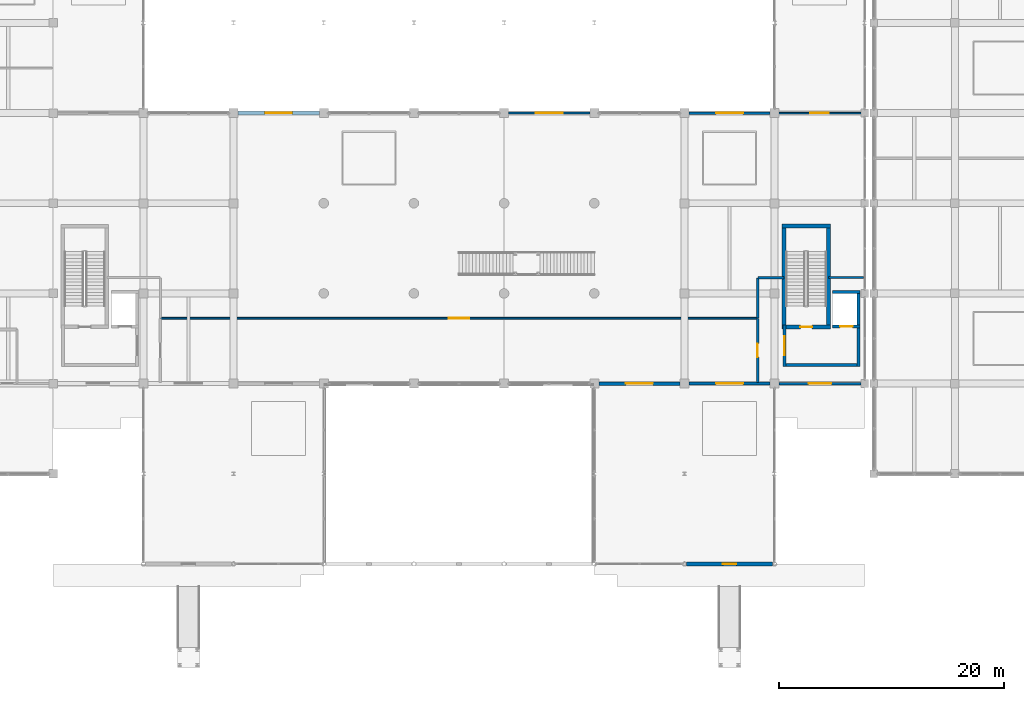
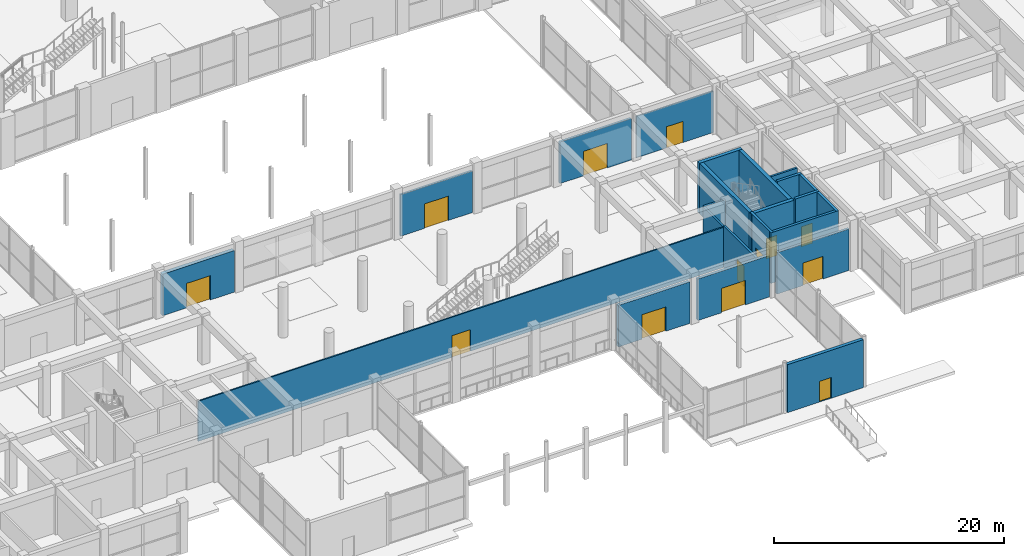
# One storey, part 57 of 86: 23 walls, 13 doors, 13 openings.
"""IFC4 building model written with IfcOpenShell, lengths in metres."""

from ifc_helpers import new_model, si_unit, direction, frame, frame_2d, origin, place, context, subcontext, project, spatial, rectangle, extrude, material, layer, layer_set, type_object, element, fill, save


model = new_model("IFC4")

# Units and contexts
model_context = context("Model", 3, precision=1e-05, world=origin(), true_north=direction((0.0, 1.0)))
body_context = subcontext(model_context, "Body", "Model", "MODEL_VIEW")
ifc_project = project(units=[si_unit("LENGTHUNIT", "METRE"), si_unit("AREAUNIT", "SQUARE_METRE"), si_unit("VOLUMEUNIT", "CUBIC_METRE"), si_unit("PLANEANGLEUNIT", "RADIAN"), si_unit("MASSUNIT", "GRAM", prefix="KILO")], contexts=[model_context])

# Site, building, storey
site_placement = place(None, origin())
site = spatial("IfcSite", under=ifc_project, at=site_placement, CompositionType="ELEMENT")
building_placement = place(site_placement, origin())
building = spatial("IfcBuilding", under=site, at=building_placement, Name="Kenh Van Central Station", CompositionType="ELEMENT")
storey_placement = place(building_placement, origin())
storey = spatial("IfcBuildingStorey", under=building, at=storey_placement, Name="L00", CompositionType="ELEMENT", Elevation=0.0)

# Walls
ifc_material_1 = material(Name="Lightweight acoustic masonry blockwork", Category="masonry")
ifc_layer_1 = layer(ifc_material_1, 0.18994140625, Name="Lightweight acoustic masonry blockwork")
ifc_layer_set_1 = layer_set([ifc_layer_1], Name="Lightweight acoustic masonry blockwork")
wall_type_1 = type_object("IfcWallType", Name="WL-COMP-190", PredefinedType="SOLIDWALL", material=ifc_layer_set_1)
wall_1_placement = place(storey_placement, frame((116.77001953125, 25.39990234375, 0.0), z_axis=(0.0, 0.0, 1.0), x_axis=(1.0, 0.0, 0.0)))
element("IfcWall", 1, at=wall_1_placement, inside=storey, type_object=wall_type_1, Name="L00 interior wall 0071", PredefinedType="SOLIDWALL", context=body_context, shape_type="SweptSolid", body=[
    extrude(rectangle(XDim=3.10986328125, YDim=0.18994140625, at=frame_2d((1.554931640625, 0.0))), origin(), (0.0, 0.0, 1.0), 5.10009765625),
])
wall_2_placement = place(storey_placement, frame((110.5, 21.820068359375, 0.0), z_axis=(0.0, 0.0, 1.0), x_axis=(0.0, 1.0, 0.0)))
element("IfcWall", 2, at=wall_2_placement, inside=storey, type_object=wall_type_1, Name="L00 interior wall 0073", PredefinedType="SOLIDWALL", context=body_context, shape_type="SweptSolid", body=[
    extrude(rectangle(XDim=3.559814453125, YDim=0.18994140625, at=frame_2d((1.77978515625, 0.0))), origin(), (0.0, 0.0, 1.0), 4.27001953125),
])
ifc_layer_2 = layer(ifc_material_1, 0.2099609375, Name="Lightweight acoustic masonry blockwork")
ifc_layer_set_2 = layer_set([ifc_layer_2], Name="Lightweight acoustic masonry blockwork")
wall_type_2 = type_object("IfcWallType", Name="WL-COMP-210", PredefinedType="SOLIDWALL", material=ifc_layer_set_2)
wall_3_placement = place(storey_placement, frame((110.52001953125, 25.39990234375, 0.0), z_axis=(0.0, 0.0, 1.0), x_axis=(1.0, 0.0, 0.0)))
element("IfcWall", 3, at=wall_3_placement, inside=storey, type_object=wall_type_2, Name="L00 interior wall 0070", PredefinedType="SOLIDWALL", context=body_context, shape_type="SweptSolid", body=[
    extrude(rectangle(XDim=2.31005859375, YDim=0.2099609375, at=frame_2d((1.155029296875, 0.0))), origin(), (0.0, 0.0, 1.0), 4.27001953125),
])

# Wall, opening, door
wall_4_placement = place(storey_placement, frame((110.5, 16.1201171875, 0.0), z_axis=(0.0, 0.0, 1.0), x_axis=(0.0, 1.0, 0.0)))
wall_4 = element("IfcWall", 4, at=wall_4_placement, inside=storey, type_object=wall_type_2, Name="L00 interior wall 0072", PredefinedType="SOLIDWALL", context=body_context, shape_type="SweptSolid", body=[
    extrude(rectangle(XDim=5.659912109375, YDim=0.2099609375, at=frame_2d((2.830078125, 0.0))), origin(), (0.0, 0.0, 1.0), 4.419921875),
])
opening_1_placement = place(wall_4_placement, frame((2.22998046875, 0.0, 0.0)))
opening_1 = element("IfcOpeningElement", 5, at=opening_1_placement, cuts=wall_4, Name="Opening D-FD60S", PredefinedType="OPENING", context=body_context, shape_type="SweptSolid", body=[
    extrude(rectangle(XDim=1.199951171875, YDim=2.14990234375, at=frame_2d((0.60009765625, 1.074951171875))), frame((0.0, 0.114990234375, 0.0), z_axis=(0.0, -1.0, 0.0), x_axis=(1.0, 0.0, 0.0)), (0.0, 0.0, 1.0), 0.22998046875),
])
ifc_material_2 = material(Name="Champagne anodised aluminium", Category="aluminium")
door_type_1 = type_object("IfcDoorType", Name="DR-FIRE-1200x2150", OperationType="NOTDEFINED", PredefinedType="DOOR", material=ifc_material_2)
door_1_placement = place(opening_1_placement, origin())
door_1 = element("IfcDoor", 6, at=door_1_placement, inside=storey, type_object=door_type_1, Name="L00 interior door 0039", OperationType="SINGLE_SWING_RIGHT", OverallHeight=2.14990234375, OverallWidth=1.199951171875, PredefinedType="DOOR", context=body_context, shape_type="SweptSolid", body=[
    extrude(rectangle(XDim=1.199951171875, YDim=2.14990234375, at=frame_2d((0.60009765625, 1.074951171875))), frame((0.0, 0.02490234375, 0.0), z_axis=(0.0, -1.0, 0.0), x_axis=(1.0, 0.0, 0.0)), (0.0, 0.0, 1.0), 0.050048828125),
])
fill(opening_1, door_1)

ifc_material_3 = material(Name="Concrete C40/50", Category="concrete")
ifc_layer_3 = layer(ifc_material_3, 0.280029296875, Name="Concrete C40/50")
ifc_layer_set_3 = layer_set([ifc_layer_3], Name="Concrete C40/50")
wall_type_3 = type_object("IfcWallType", Name="WL-CORE-280", PredefinedType="SHEAR", material=ifc_layer_set_3)
wall_5_placement = place(storey_placement, frame((117.14990234375, 21.06005859375, 0.0), z_axis=(0.0, 0.0, 1.0), x_axis=(1.0, 0.0, 0.0)))
wall_5 = element("IfcWall", 7, at=wall_5_placement, inside=storey, type_object=wall_type_3, Name="L00 LIFT-P4 shaft wall S", PredefinedType="SHEAR", context=body_context, shape_type="SweptSolid", body=[
    extrude(rectangle(XDim=2.43017578125, YDim=0.280029296875, at=frame_2d((1.215087890625, 0.0))), origin(), (0.0, 0.0, 1.0), 5.39990234375),
])
opening_2_placement = place(wall_5_placement, frame((0.6650390625, 0.0, 0.0)))
opening_2 = element("IfcOpeningElement", 8, at=opening_2_placement, cuts=wall_5, Name="Opening LD-P1", PredefinedType="OPENING", context=body_context, shape_type="SweptSolid", body=[
    extrude(rectangle(XDim=1.10009765625, YDim=2.14990234375, at=frame_2d((0.550048828125, 1.074951171875))), frame((0.0, 0.14990234375, 0.0), z_axis=(0.0, -1.0, 0.0), x_axis=(1.0, 0.0, 0.0)), (0.0, 0.0, 1.0), 0.300048828125),
])
door_type_2 = type_object("IfcDoorType", Name="DR-LIFT-1100x2150", OperationType="SLIDING_TO_LEFT", PredefinedType="DOOR", material=ifc_material_2)
door_2_placement = place(opening_2_placement, origin())
door_2 = element("IfcDoor", 9, at=door_2_placement, inside=storey, type_object=door_type_2, Name="L00 LIFT-P4 sliding landing door", OperationType="SLIDING_TO_LEFT", OverallHeight=2.14990234375, OverallWidth=1.10009765625, PredefinedType="DOOR", context=body_context, shape_type="SweptSolid", body=[
    extrude(rectangle(XDim=1.10009765625, YDim=2.14990234375, at=frame_2d((0.550048828125, 1.074951171875))), frame((0.0, 0.02490234375, 0.0), z_axis=(0.0, -1.0, 0.0), x_axis=(1.0, 0.0, 0.0)), (0.0, 0.0, 1.0), 0.050048828125),
])
fill(opening_2, door_2)

# Walls
wall_6_placement = place(storey_placement, frame((117.14990234375, 24.139892578125, 0.0), z_axis=(0.0, 0.0, 1.0), x_axis=(1.0, 0.0, 0.0)))
element("IfcWall", 10, at=wall_6_placement, inside=storey, type_object=wall_type_3, Name="L00 LIFT-P4 shaft wall N", PredefinedType="SHEAR", context=body_context, shape_type="SweptSolid", body=[
    extrude(rectangle(XDim=2.43017578125, YDim=0.280029296875, at=frame_2d((1.215087890625, 0.0))), origin(), (0.0, 0.0, 1.0), 5.39990234375),
])
wall_7_placement = place(storey_placement, frame((119.43994140625, 21.199951171875, 0.0), z_axis=(0.0, 0.0, 1.0), x_axis=(0.0, 1.0, 0.0)))
element("IfcWall", 11, at=wall_7_placement, inside=storey, type_object=wall_type_3, Name="L00 LIFT-P4 shaft wall E", PredefinedType="SHEAR", context=body_context, shape_type="SweptSolid", body=[
    extrude(rectangle(XDim=2.800048828125, YDim=0.280029296875, at=frame_2d((1.39990234375, 0.0))), origin(), (0.0, 0.0, 1.0), 5.39990234375),
])

# Wall, opening, door
ifc_layer_4 = layer(ifc_material_3, 0.360107421875, Name="Concrete C40/50")
ifc_layer_set_4 = layer_set([ifc_layer_4], Name="Concrete C40/50")
wall_type_4 = type_object("IfcWallType", Name="WL-CORE-360", PredefinedType="SHEAR", material=ifc_layer_set_4)
wall_8_placement = place(storey_placement, frame((112.639892578125, 21.02001953125, 0.0), z_axis=(0.0, 0.0, 1.0), x_axis=(1.0, 0.0, 0.0)))
wall_8 = element("IfcWall", 12, at=wall_8_placement, inside=storey, type_object=wall_type_4, Name="L00 CORE-04 stair wall S", PredefinedType="SHEAR", context=body_context, shape_type="SweptSolid", body=[
    extrude(rectangle(XDim=4.320068359375, YDim=0.360107421875, at=frame_2d((2.16015625, 0.0))), origin(), (0.0, 0.0, 1.0), 5.39990234375),
])
opening_3_placement = place(wall_8_placement, frame((1.635009765625, 0.0, 0.0)))
opening_3 = element("IfcOpeningElement", 13, at=opening_3_placement, cuts=wall_8, Name="Opening D-FD60", PredefinedType="OPENING", context=body_context, shape_type="SweptSolid", body=[
    extrude(rectangle(XDim=1.050048828125, YDim=2.14990234375, at=frame_2d((0.52490234375, 1.074951171875))), frame((0.0, 0.18994140625, 0.0), z_axis=(0.0, -1.0, 0.0), x_axis=(1.0, 0.0, 0.0)), (0.0, 0.0, 1.0), 0.380126953125),
])
door_type_3 = type_object("IfcDoorType", Name="DR-FIRE-1050x2150", OperationType="NOTDEFINED", PredefinedType="DOOR", material=ifc_material_2)
door_3_placement = place(opening_3_placement, origin())
door_3 = element("IfcDoor", 14, at=door_3_placement, inside=storey, type_object=door_type_3, Name="L00 ST-04 stair door", OperationType="SINGLE_SWING_LEFT", OverallHeight=2.14990234375, OverallWidth=1.050048828125, PredefinedType="DOOR", context=body_context, shape_type="SweptSolid", body=[
    extrude(rectangle(XDim=1.050048828125, YDim=2.14990234375, at=frame_2d((0.52490234375, 1.074951171875))), frame((0.0, 0.02490234375, 0.0), z_axis=(0.0, -1.0, 0.0), x_axis=(1.0, 0.0, 0.0)), (0.0, 0.0, 1.0), 0.050048828125),
])
fill(opening_3, door_3)

# Walls
wall_9_placement = place(storey_placement, frame((112.639892578125, 29.97998046875, 0.0), z_axis=(0.0, 0.0, 1.0), x_axis=(1.0, 0.0, 0.0)))
element("IfcWall", 15, at=wall_9_placement, inside=storey, type_object=wall_type_4, Name="L00 CORE-04 stair wall N", PredefinedType="SHEAR", context=body_context, shape_type="SweptSolid", body=[
    extrude(rectangle(XDim=4.320068359375, YDim=0.360107421875, at=frame_2d((2.16015625, 0.0))), origin(), (0.0, 0.0, 1.0), 5.39990234375),
])
for number, where, z_axis, x_axis, name in (
    (16, (112.820068359375, 21.199951171875, 0.0), (0.0, 0.0, 1.0), (0.0, 1.0, 0.0), "L00 CORE-04 stair wall W"),
    (17, (116.780029296875, 21.199951171875, 0.0), (0.0, 0.0, 1.0), (0.0, 1.0, 0.0), "L00 CORE-04 stair wall E"),
):
    element("IfcWall", number, at=place(storey_placement, frame(where, z_axis=z_axis, x_axis=x_axis)), inside=storey, type_object=wall_type_4, Name=name, PredefinedType="SHEAR", context=body_context, shape_type="SweptSolid", body=[
        extrude(rectangle(XDim=8.60009765625, YDim=0.360107421875, at=frame_2d((4.300048828125, 0.0))), origin(), (0.0, 0.0, 1.0), 5.39990234375),
    ])

# Wall, opening, door
ifc_material_4 = material(Name="Saigon buff sandstone and terracotta masonry", Category="masonry")
ifc_layer_5 = layer(ifc_material_4, 0.2900390625, Name="Saigon buff sandstone and terracotta masonry")
ifc_layer_set_5 = layer_set([ifc_layer_5], Name="Saigon buff sandstone and terracotta masonry")
wall_type_5 = type_object("IfcWallType", Name="WL-EXT-290", PredefinedType="STANDARD", material=ifc_layer_set_5)
wall_10_placement = place(storey_placement, frame((104.39990234375, 16.0, 0.0), z_axis=(0.0, 0.0, 1.0), x_axis=(1.0, 0.0, 0.0)))
wall_10 = element("IfcWall", 18, at=wall_10_placement, inside=storey, type_object=wall_type_5, Name="L00 exterior wall 012", PredefinedType="STANDARD", context=body_context, shape_type="SweptSolid", body=[
    extrude(rectangle(XDim=7.2001953125, YDim=0.2900390625, at=frame_2d((3.60009765625, 0.0))), origin(), (0.0, 0.0, 1.0), 4.419921875),
])
opening_4_placement = place(wall_10_placement, frame((2.39990234375, 0.0, 0.0)))
opening_4 = element("IfcOpeningElement", 19, at=opening_4_placement, cuts=wall_10, Name="Opening D-EX1", PredefinedType="OPENING", context=body_context, shape_type="SweptSolid", body=[
    extrude(rectangle(XDim=2.39990234375, YDim=2.60009765625, at=frame_2d((1.199951171875, 1.300048828125))), frame((0.0, 0.155029296875, 0.0), z_axis=(0.0, -1.0, 0.0), x_axis=(1.0, 0.0, 0.0)), (0.0, 0.0, 1.0), 0.31005859375),
])
door_type_4 = type_object("IfcDoorType", Name="DR-EXT-2400x2600", OperationType="DOUBLE_DOOR_SINGLE_SWING", PredefinedType="DOOR", material=ifc_material_2)
door_4_placement = place(opening_4_placement, frame((2.39990234375, 0.0, 0.0), z_axis=(0.0, 0.0, 1.0), x_axis=(-1.0, 0.0, 0.0)))
door_4 = element("IfcDoor", 20, at=door_4_placement, inside=storey, type_object=door_type_4, Name="L00 exterior door 011", OperationType="DOUBLE_DOOR_SINGLE_SWING", OverallHeight=2.60009765625, OverallWidth=2.39990234375, PredefinedType="DOOR", context=body_context, shape_type="SweptSolid", body=[
    extrude(rectangle(XDim=2.39990234375, YDim=2.60009765625, at=frame_2d((-1.199951171875, 1.300048828125))), frame((0.0, -0.02490234375, 0.0), z_axis=(0.0, 1.0, 0.0), x_axis=(-1.0, 0.0, 0.0)), (0.0, 0.0, 1.0), 0.050048828125),
])
fill(opening_4, door_4)

ifc_layer_6 = layer(ifc_material_4, 0.31005859375, Name="Saigon buff sandstone and terracotta masonry")
ifc_layer_set_6 = layer_set([ifc_layer_6], Name="Saigon buff sandstone and terracotta masonry")
wall_type_6 = type_object("IfcWallType", Name="WL-EXT-310", PredefinedType="STANDARD", material=ifc_layer_set_6)
wall_11_placement = place(storey_placement, frame((96.39990234375, 16.0, 0.0), z_axis=(0.0, 0.0, 1.0), x_axis=(1.0, 0.0, 0.0)))
wall_11 = element("IfcWall", 21, at=wall_11_placement, inside=storey, type_object=wall_type_6, Name="L00 exterior wall 011", PredefinedType="STANDARD", context=body_context, shape_type="SweptSolid", body=[
    extrude(rectangle(XDim=7.2001953125, YDim=0.31005859375, at=frame_2d((3.60009765625, 0.0))), origin(), (0.0, 0.0, 1.0), 4.419921875),
])
opening_5_placement = place(wall_11_placement, frame((2.39990234375, 0.0, 0.0)))
opening_5 = element("IfcOpeningElement", 22, at=opening_5_placement, cuts=wall_11, Name="Opening D-EX1", PredefinedType="OPENING", context=body_context, shape_type="SweptSolid", body=[
    extrude(rectangle(XDim=2.39990234375, YDim=2.60009765625, at=frame_2d((1.199951171875, 1.300048828125))), frame((0.0, 0.1650390625, 0.0), z_axis=(0.0, -1.0, 0.0), x_axis=(1.0, 0.0, 0.0)), (0.0, 0.0, 1.0), 0.330078125),
])
door_5_placement = place(opening_5_placement, frame((2.39990234375, 0.0, 0.0), z_axis=(0.0, 0.0, 1.0), x_axis=(-1.0, 0.0, 0.0)))
door_5 = element("IfcDoor", 23, at=door_5_placement, inside=storey, type_object=door_type_4, Name="L00 exterior door 010", OperationType="DOUBLE_DOOR_SINGLE_SWING", OverallHeight=2.60009765625, OverallWidth=2.39990234375, PredefinedType="DOOR", context=body_context, shape_type="SweptSolid", body=[
    extrude(rectangle(XDim=2.39990234375, YDim=2.60009765625, at=frame_2d((-1.199951171875, 1.300048828125))), frame((0.0, -0.02490234375, 0.0), z_axis=(0.0, 1.0, 0.0), x_axis=(-1.0, 0.0, 0.0)), (0.0, 0.0, 1.0), 0.050048828125),
])
fill(opening_5, door_5)

ifc_layer_7 = layer(ifc_material_4, 0.330078125, Name="Saigon buff sandstone and terracotta masonry")
ifc_layer_set_7 = layer_set([ifc_layer_7], Name="Saigon buff sandstone and terracotta masonry")
wall_type_7 = type_object("IfcWallType", Name="WL-EXT-330", PredefinedType="STANDARD", material=ifc_layer_set_7)
wall_12_placement = place(storey_placement, frame((104.177734375, 0.0, 0.0), z_axis=(0.0, 0.0, 1.0), x_axis=(1.0, 0.0, 0.0)))
wall_12 = element("IfcWall", 24, at=wall_12_placement, inside=storey, type_object=wall_type_7, Name="L00 exterior wall 018", PredefinedType="STANDARD", context=body_context, shape_type="SweptSolid", body=[
    extrude(rectangle(XDim=7.64453125, YDim=0.330078125, at=frame_2d((3.822265625, 0.0))), origin(), (0.0, 0.0, 1.0), 5.10009765625),
])
opening_6_placement = place(wall_12_placement, frame((3.22216796875, 0.0, 0.0)))
opening_6 = element("IfcOpeningElement", 25, at=opening_6_placement, cuts=wall_12, Name="Opening D-EX9", PredefinedType="OPENING", context=body_context, shape_type="SweptSolid", body=[
    extrude(rectangle(XDim=1.199951171875, YDim=2.199951171875, at=frame_2d((0.60009765625, 1.10009765625))), frame((0.0, 0.175048828125, 0.0), z_axis=(0.0, -1.0, 0.0), x_axis=(1.0, 0.0, 0.0)), (0.0, 0.0, 1.0), 0.35009765625),
])
door_type_5 = type_object("IfcDoorType", Name="DR-EXT-1200x2200", OperationType="NOTDEFINED", PredefinedType="DOOR", material=ifc_material_2)
door_6_placement = place(opening_6_placement, frame((1.199951171875, 0.0, 0.0), z_axis=(0.0, 0.0, 1.0), x_axis=(-1.0, 0.0, 0.0)))
door_6 = element("IfcDoor", 26, at=door_6_placement, inside=storey, type_object=door_type_5, Name="L00 exterior door 017", OperationType="SINGLE_SWING_LEFT", OverallHeight=2.199951171875, OverallWidth=1.199951171875, PredefinedType="DOOR", context=body_context, shape_type="SweptSolid", body=[
    extrude(rectangle(XDim=1.199951171875, YDim=2.199951171875, at=frame_2d((-0.60009765625, 1.10009765625))), frame((0.0, -0.02490234375, 0.0), z_axis=(0.0, 1.0, 0.0), x_axis=(-1.0, 0.0, 0.0)), (0.0, 0.0, 1.0), 0.050048828125),
])
fill(opening_6, door_6)

ifc_layer_8 = layer(ifc_material_4, 0.3798828125, Name="Saigon buff sandstone and terracotta masonry")
ifc_layer_set_8 = layer_set([ifc_layer_8], Name="Saigon buff sandstone and terracotta masonry")
wall_type_8 = type_object("IfcWallType", Name="WL-EXT-380", PredefinedType="STANDARD", material=ifc_layer_set_8)
wall_13_placement = place(storey_placement, frame((71.60009765625, 40.0, 0.0), z_axis=(0.0, 0.0, 1.0), x_axis=(-1.0, 0.0, 0.0)))
wall_13 = element("IfcWall", 27, at=wall_13_placement, inside=storey, type_object=wall_type_8, Name="L00 exterior wall 016", PredefinedType="STANDARD", context=body_context, shape_type="SweptSolid", body=[
    extrude(rectangle(XDim=7.2001953125, YDim=0.3798828125, at=frame_2d((3.60009765625, 0.0))), origin(), (0.0, 0.0, 1.0), 4.419921875),
])
opening_7_placement = place(wall_13_placement, frame((2.39990234375, 0.0, 0.0)))
opening_7 = element("IfcOpeningElement", 28, at=opening_7_placement, cuts=wall_13, Name="Opening D-EX1", PredefinedType="OPENING", context=body_context, shape_type="SweptSolid", body=[
    extrude(rectangle(XDim=2.39990234375, YDim=2.60009765625, at=frame_2d((1.199951171875, 1.300048828125))), frame((0.0, 0.199951171875, 0.0), z_axis=(0.0, -1.0, 0.0), x_axis=(1.0, 0.0, 0.0)), (0.0, 0.0, 1.0), 0.39990234375),
])
door_7_placement = place(opening_7_placement, origin())
door_7 = element("IfcDoor", 29, at=door_7_placement, inside=storey, type_object=door_type_4, Name="L00 exterior door 015", OperationType="DOUBLE_DOOR_SINGLE_SWING", OverallHeight=2.60009765625, OverallWidth=2.39990234375, PredefinedType="DOOR", context=body_context, shape_type="SweptSolid", body=[
    extrude(rectangle(XDim=2.39990234375, YDim=2.60009765625, at=frame_2d((1.199951171875, 1.300048828125))), frame((0.0, 0.02490234375, 0.0), z_axis=(0.0, -1.0, 0.0), x_axis=(1.0, 0.0, 0.0)), (0.0, 0.0, 1.0), 0.050048828125),
])
fill(opening_7, door_7)

# Wall
ifc_layer_9 = layer(ifc_material_3, 0.260009765625, Name="Concrete C40/50")
ifc_layer_set_9 = layer_set([ifc_layer_9], Name="Concrete C40/50")
wall_type_9 = type_object("IfcWallType", Name="WL-FIRE-260", PredefinedType="SHEAR", material=ifc_layer_set_9)
wall_14_placement = place(storey_placement, frame((119.56005859375, 17.669921875, 0.0), z_axis=(0.0, 0.0, 1.0), x_axis=(-1.0, 0.0, 0.0)))
element("IfcWall", 30, at=wall_14_placement, inside=storey, type_object=wall_type_9, Name="L00 CORE-04 lobby wall S", PredefinedType="SHEAR", context=body_context, shape_type="SweptSolid", body=[
    extrude(rectangle(XDim=6.820068359375, YDim=0.260009765625, at=frame_2d((3.41015625, 0.0))), origin(), (0.0, 0.0, 1.0), 5.39990234375),
])

# Wall, opening, door
wall_15_placement = place(storey_placement, frame((112.8701171875, 17.5400390625, 0.0), z_axis=(0.0, 0.0, 1.0), x_axis=(0.0, 1.0, 0.0)))
wall_15 = element("IfcWall", 31, at=wall_15_placement, inside=storey, type_object=wall_type_9, Name="L00 CORE-04 lobby wall W", PredefinedType="SHEAR", context=body_context, shape_type="SweptSolid", body=[
    extrude(rectangle(XDim=3.659912109375, YDim=0.260009765625, at=frame_2d((1.830078125, 0.0))), origin(), (0.0, 0.0, 1.0), 5.39990234375),
])
opening_8_placement = place(wall_15_placement, frame((0.97998046875, 0.0, 0.0)))
opening_8 = element("IfcOpeningElement", 32, at=opening_8_placement, cuts=wall_15, Name="Opening D-FD60D", PredefinedType="OPENING", context=body_context, shape_type="SweptSolid", body=[
    extrude(rectangle(XDim=1.699951171875, YDim=2.199951171875, at=frame_2d((0.85009765625, 1.10009765625))), frame((0.0, 0.139892578125, 0.0), z_axis=(0.0, -1.0, 0.0), x_axis=(1.0, 0.0, 0.0)), (0.0, 0.0, 1.0), 0.280029296875),
])
door_type_6 = type_object("IfcDoorType", Name="DR-FIRE-1700x2200", OperationType="DOUBLE_DOOR_SINGLE_SWING", PredefinedType="DOOR", material=ifc_material_2)
door_8_placement = place(opening_8_placement, origin())
door_8 = element("IfcDoor", 33, at=door_8_placement, inside=storey, type_object=door_type_6, Name="L00 CORE-04 smoke-stop lobby door", OperationType="DOUBLE_DOOR_SINGLE_SWING", OverallHeight=2.199951171875, OverallWidth=1.699951171875, PredefinedType="DOOR", context=body_context, shape_type="SweptSolid", body=[
    extrude(rectangle(XDim=1.699951171875, YDim=2.199951171875, at=frame_2d((0.85009765625, 1.10009765625))), frame((0.0, 0.02490234375, 0.0), z_axis=(0.0, -1.0, 0.0), x_axis=(1.0, 0.0, 0.0)), (0.0, 0.0, 1.0), 0.050048828125),
])
fill(opening_8, door_8)

# Wall
wall_16_placement = place(storey_placement, frame((119.429931640625, 17.5400390625, 0.0), z_axis=(0.0, 0.0, 1.0), x_axis=(0.0, 1.0, 0.0)))
element("IfcWall", 34, at=wall_16_placement, inside=storey, type_object=wall_type_9, Name="L00 CORE-04 lobby wall E", PredefinedType="SHEAR", context=body_context, shape_type="SweptSolid", body=[
    extrude(rectangle(XDim=3.659912109375, YDim=0.260009765625, at=frame_2d((1.830078125, 0.0))), origin(), (0.0, 0.0, 1.0), 5.39990234375),
])

# Wall, opening, door
ifc_layer_10 = layer(ifc_material_1, 0.114990234375, Name="Lightweight acoustic masonry blockwork")
ifc_layer_set_10 = layer_set([ifc_layer_10], Name="Lightweight acoustic masonry blockwork")
wall_type_10 = type_object("IfcWallType", Name="WL-PART-115", PredefinedType="PARTITIONING", material=ifc_layer_set_10)
wall_17_placement = place(storey_placement, frame((112.1201171875, 40.0, 0.0), z_axis=(0.0, 0.0, 1.0), x_axis=(1.0, 0.0, 0.0)))
wall_17 = element("IfcWall", 35, at=wall_17_placement, inside=storey, type_object=wall_type_10, Name="L00 interior wall 0061", PredefinedType="PARTITIONING", context=body_context, shape_type="SweptSolid", body=[
    extrude(rectangle(XDim=7.759765625, YDim=0.114990234375, at=frame_2d((3.8798828125, 0.0))), origin(), (0.0, 0.0, 1.0), 4.419921875),
])
opening_9_placement = place(wall_17_placement, frame((3.054931640625, 0.0, 0.0)))
opening_9 = element("IfcOpeningElement", 36, at=opening_9_placement, cuts=wall_17, Name="Opening D-IN02", PredefinedType="OPENING", context=body_context, shape_type="SweptSolid", body=[
    extrude(rectangle(XDim=1.64990234375, YDim=2.25, at=frame_2d((0.824951171875, 1.125))), frame((0.0, 0.0673828125, 0.0), z_axis=(0.0, -1.0, 0.0), x_axis=(1.0, 0.0, 0.0)), (0.0, 0.0, 1.0), 0.135009765625),
])
ifc_material_5 = material(Name="Architectural hardwood timber", Category="wood")
door_type_7 = type_object("IfcDoorType", Name="DR-INT-1650x2250", OperationType="DOUBLE_DOOR_SINGLE_SWING", PredefinedType="DOOR", material=ifc_material_5)
door_9_placement = place(opening_9_placement, origin())
door_9 = element("IfcDoor", 37, at=door_9_placement, inside=storey, type_object=door_type_7, Name="L00 interior door 0032", OperationType="DOUBLE_DOOR_SINGLE_SWING", OverallHeight=2.25, OverallWidth=1.64990234375, PredefinedType="DOOR", context=body_context, shape_type="SweptSolid", body=[
    extrude(rectangle(XDim=1.64990234375, YDim=2.25, at=frame_2d((0.824951171875, 1.125))), frame((0.0, 0.02490234375, 0.0), z_axis=(0.0, -1.0, 0.0), x_axis=(1.0, 0.0, 0.0)), (0.0, 0.0, 1.0), 0.050048828125),
])
fill(opening_9, door_9)

ifc_layer_11 = layer(ifc_material_1, 0.135009765625, Name="Lightweight acoustic masonry blockwork")
ifc_layer_set_11 = layer_set([ifc_layer_11], Name="Lightweight acoustic masonry blockwork")
wall_type_11 = type_object("IfcWallType", Name="WL-PART-135", PredefinedType="PARTITIONING", material=ifc_layer_set_11)
wall_18_placement = place(storey_placement, frame((57.52001953125, 21.800048828125, 0.0), z_axis=(0.0, 0.0, 1.0), x_axis=(1.0, 0.0, 0.0)))
wall_18 = element("IfcWall", 38, at=wall_18_placement, inside=storey, type_object=wall_type_11, Name="L00 interior wall 0066", PredefinedType="PARTITIONING", context=body_context, shape_type="SweptSolid", body=[
    extrude(rectangle(XDim=52.9599609375, YDim=0.135009765625, at=frame_2d((26.47998046875, 0.0))), origin(), (0.0, 0.0, 1.0), 4.27001953125),
])
opening_10_placement = place(wall_18_placement, frame((25.554931640625, 0.0, 0.0)))
opening_10 = element("IfcOpeningElement", 39, at=opening_10_placement, cuts=wall_18, Name="Opening D-IN01", PredefinedType="OPENING", context=body_context, shape_type="SweptSolid", body=[
    extrude(rectangle(XDim=1.85009765625, YDim=2.300048828125, at=frame_2d((0.925048828125, 1.14990234375))), frame((0.0, 0.077392578125, 0.0), z_axis=(0.0, -1.0, 0.0), x_axis=(1.0, 0.0, 0.0)), (0.0, 0.0, 1.0), 0.155029296875),
])
door_type_8 = type_object("IfcDoorType", Name="DR-INT-1850x2300", OperationType="DOUBLE_DOOR_SINGLE_SWING", PredefinedType="DOOR", material=ifc_material_5)
door_10_placement = place(opening_10_placement, origin())
door_10 = element("IfcDoor", 40, at=door_10_placement, inside=storey, type_object=door_type_8, Name="L00 interior door 0037", OperationType="DOUBLE_DOOR_SINGLE_SWING", OverallHeight=2.300048828125, OverallWidth=1.85009765625, PredefinedType="DOOR", context=body_context, shape_type="SweptSolid", body=[
    extrude(rectangle(XDim=1.85009765625, YDim=2.300048828125, at=frame_2d((0.925048828125, 1.14990234375))), frame((0.0, 0.02490234375, 0.0), z_axis=(0.0, -1.0, 0.0), x_axis=(1.0, 0.0, 0.0)), (0.0, 0.0, 1.0), 0.050048828125),
])
fill(opening_10, door_10)

ifc_material_6 = material(Name="Glazed terracotta architectural masonry", Category="masonry")
ifc_layer_12 = layer(ifc_material_6, 0.195068359375, Name="Glazed terracotta architectural masonry")
ifc_layer_set_12 = layer_set([ifc_layer_12], Name="Glazed terracotta architectural masonry")
wall_type_12 = type_object("IfcWallType", Name="WL-SLD-195", PredefinedType="SOLIDWALL", material=ifc_layer_set_12)
wall_19_placement = place(storey_placement, frame((95.60009765625, 40.0, 0.0), z_axis=(0.0, 0.0, 1.0), x_axis=(-1.0, 0.0, 0.0)))
wall_19 = element("IfcWall", 41, at=wall_19_placement, inside=storey, type_object=wall_type_12, Name="L00 exterior wall 015", PredefinedType="SOLIDWALL", context=body_context, shape_type="SweptSolid", body=[
    extrude(rectangle(XDim=7.2001953125, YDim=0.195068359375, at=frame_2d((3.60009765625, 0.0))), origin(), (0.0, 0.0, 1.0), 4.419921875),
])
opening_11_placement = place(wall_19_placement, frame((2.39990234375, 0.0, 0.0)))
opening_11 = element("IfcOpeningElement", 42, at=opening_11_placement, cuts=wall_19, Name="Opening D-EX1", PredefinedType="OPENING", context=body_context, shape_type="SweptSolid", body=[
    extrude(rectangle(XDim=2.39990234375, YDim=2.60009765625, at=frame_2d((1.199951171875, 1.300048828125))), frame((0.0, 0.107421875, 0.0), z_axis=(0.0, -1.0, 0.0), x_axis=(1.0, 0.0, 0.0)), (0.0, 0.0, 1.0), 0.215087890625),
])
door_11_placement = place(opening_11_placement, origin())
door_11 = element("IfcDoor", 43, at=door_11_placement, inside=storey, type_object=door_type_4, Name="L00 exterior door 014", OperationType="DOUBLE_DOOR_SINGLE_SWING", OverallHeight=2.60009765625, OverallWidth=2.39990234375, PredefinedType="DOOR", context=body_context, shape_type="SweptSolid", body=[
    extrude(rectangle(XDim=2.39990234375, YDim=2.60009765625, at=frame_2d((1.199951171875, 1.300048828125))), frame((0.0, 0.02490234375, 0.0), z_axis=(0.0, -1.0, 0.0), x_axis=(1.0, 0.0, 0.0)), (0.0, 0.0, 1.0), 0.050048828125),
])
fill(opening_11, door_11)

ifc_layer_13 = layer(ifc_material_6, 0.219970703125, Name="Glazed terracotta architectural masonry")
ifc_layer_set_13 = layer_set([ifc_layer_13], Name="Glazed terracotta architectural masonry")
wall_type_13 = type_object("IfcWallType", Name="WL-SLD-220", PredefinedType="SOLIDWALL", material=ifc_layer_set_13)
wall_20_placement = place(storey_placement, frame((111.60009765625, 40.0, 0.0), z_axis=(0.0, 0.0, 1.0), x_axis=(-1.0, 0.0, 0.0)))
wall_20 = element("IfcWall", 44, at=wall_20_placement, inside=storey, type_object=wall_type_13, Name="L00 exterior wall 014", PredefinedType="SOLIDWALL", context=body_context, shape_type="SweptSolid", body=[
    extrude(rectangle(XDim=7.2001953125, YDim=0.219970703125, at=frame_2d((3.60009765625, 0.0))), origin(), (0.0, 0.0, 1.0), 4.419921875),
])
opening_12_placement = place(wall_20_placement, frame((2.39990234375, 0.0, 0.0)))
opening_12 = element("IfcOpeningElement", 45, at=opening_12_placement, cuts=wall_20, Name="Opening D-EX1", PredefinedType="OPENING", context=body_context, shape_type="SweptSolid", body=[
    extrude(rectangle(XDim=2.39990234375, YDim=2.60009765625, at=frame_2d((1.199951171875, 1.300048828125))), frame((0.0, 0.119873046875, 0.0), z_axis=(0.0, -1.0, 0.0), x_axis=(1.0, 0.0, 0.0)), (0.0, 0.0, 1.0), 0.239990234375),
])
door_12_placement = place(opening_12_placement, origin())
door_12 = element("IfcDoor", 46, at=door_12_placement, inside=storey, type_object=door_type_4, Name="L00 exterior door 013", OperationType="DOUBLE_DOOR_SINGLE_SWING", OverallHeight=2.60009765625, OverallWidth=2.39990234375, PredefinedType="DOOR", context=body_context, shape_type="SweptSolid", body=[
    extrude(rectangle(XDim=2.39990234375, YDim=2.60009765625, at=frame_2d((1.199951171875, 1.300048828125))), frame((0.0, 0.02490234375, 0.0), z_axis=(0.0, -1.0, 0.0), x_axis=(1.0, 0.0, 0.0)), (0.0, 0.0, 1.0), 0.050048828125),
])
fill(opening_12, door_12)

ifc_layer_14 = layer(ifc_material_6, 0.239990234375, Name="Glazed terracotta architectural masonry")
ifc_layer_set_14 = layer_set([ifc_layer_14], Name="Glazed terracotta architectural masonry")
wall_type_14 = type_object("IfcWallType", Name="WL-SLD-240", PredefinedType="SOLIDWALL", material=ifc_layer_set_14)
wall_21_placement = place(storey_placement, frame((112.39990234375, 16.0, 0.0), z_axis=(0.0, 0.0, 1.0), x_axis=(1.0, 0.0, 0.0)))
wall_21 = element("IfcWall", 47, at=wall_21_placement, inside=storey, type_object=wall_type_14, Name="L00 exterior wall 013", PredefinedType="SOLIDWALL", context=body_context, shape_type="SweptSolid", body=[
    extrude(rectangle(XDim=7.25, YDim=0.239990234375, at=frame_2d((3.625, 0.0))), origin(), (0.0, 0.0, 1.0), 4.419921875),
])
opening_13_placement = place(wall_21_placement, frame((2.625, 0.0, 0.0)))
opening_13 = element("IfcOpeningElement", 48, at=opening_13_placement, cuts=wall_21, Name="Opening D-EX3", PredefinedType="OPENING", context=body_context, shape_type="SweptSolid", body=[
    extrude(rectangle(XDim=2.0, YDim=2.39990234375, at=frame_2d((1.0, 1.199951171875))), frame((0.0, 0.1298828125, 0.0), z_axis=(0.0, -1.0, 0.0), x_axis=(1.0, 0.0, 0.0)), (0.0, 0.0, 1.0), 0.260009765625),
])
door_type_9 = type_object("IfcDoorType", Name="DR-EXT-2000x2400", OperationType="DOUBLE_DOOR_SINGLE_SWING", PredefinedType="DOOR", material=ifc_material_2)
door_13_placement = place(opening_13_placement, frame((2.0, 0.0, 0.0), z_axis=(0.0, 0.0, 1.0), x_axis=(-1.0, 0.0, 0.0)))
door_13 = element("IfcDoor", 49, at=door_13_placement, inside=storey, type_object=door_type_9, Name="L00 exterior door 012", OperationType="DOUBLE_DOOR_SINGLE_SWING", OverallHeight=2.39990234375, OverallWidth=2.0, PredefinedType="DOOR", context=body_context, shape_type="SweptSolid", body=[
    extrude(rectangle(XDim=2.0, YDim=2.39990234375, at=frame_2d((-1.0, 1.199951171875))), frame((0.0, -0.02490234375, 0.0), z_axis=(0.0, 1.0, 0.0), x_axis=(-1.0, 0.0, 0.0)), (0.0, 0.0, 1.0), 0.050048828125),
])
fill(opening_13, door_13)

save(model, "model.ifc")
